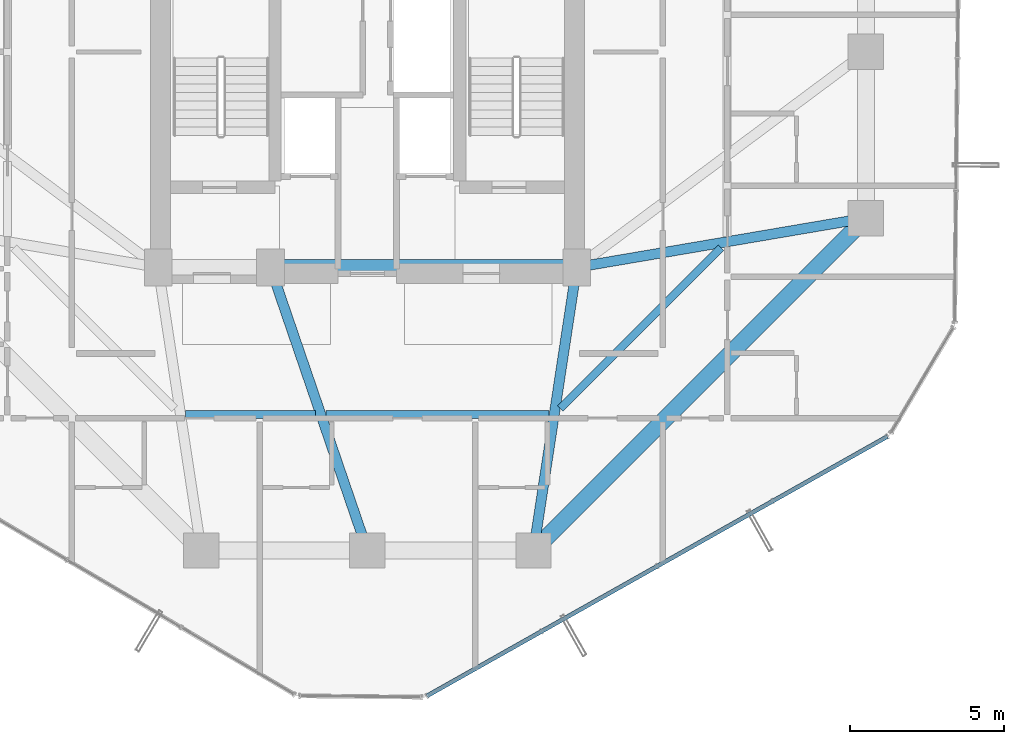
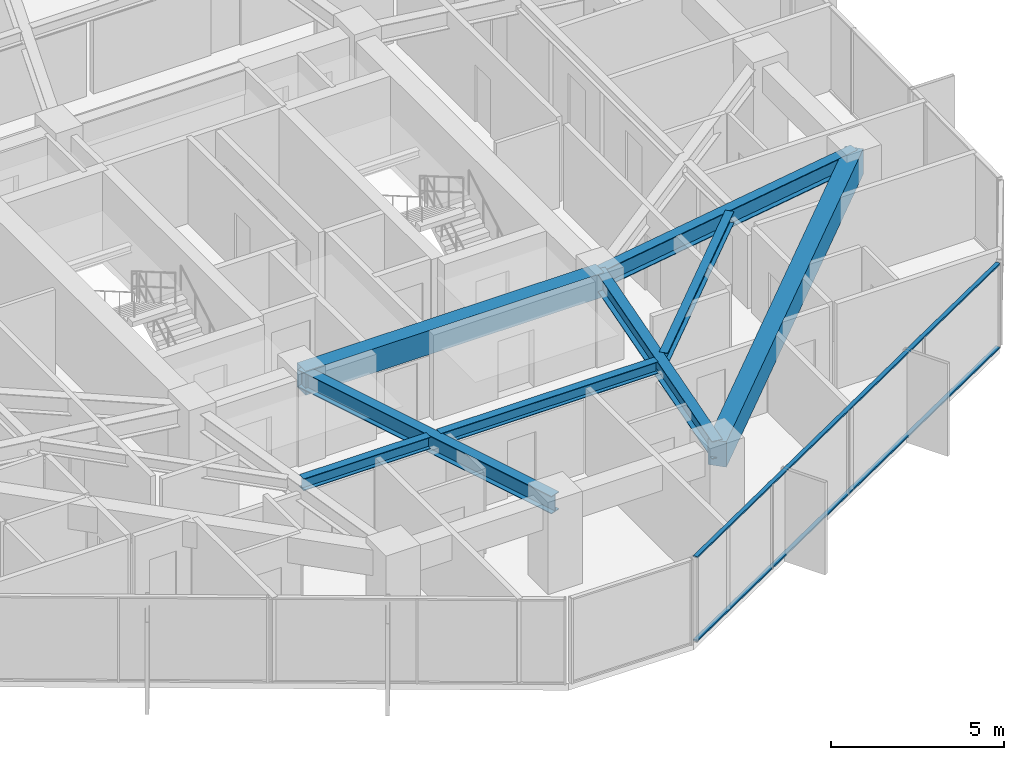
# One storey, part 8 of 30: 8 beams, 2 members, 1 element without a shape of its own.
"""IFC4 building model written with IfcOpenShell, lengths in metres."""

import ifcopenshell
import ifcopenshell.guid

model = None  # the IFC model being written
_history = None  # IfcOwnerHistory: only IFC2X3 demands one
_inside = {}  # id of a spatial element -> (the spatial element, [elements in it])
_under = {}  # id of a project, library or spatial element -> (it, [spatial elements below it])
_declared = {}  # id of a project -> (the project, [libraries it declares])
_typed = {}  # id of a type object -> (the type object, [elements of that type])
_made_of = {}  # id of a material, layer set ... -> (it, [elements and type objects made of it])


def new_model(schema):
    """Start an empty IFC model of exactly this schema.

    Asked for "IFC4X3", IfcOpenShell would pick the latest addendum, in which some entities
    have other attributes; the version numbers below select the first issue.
    IFC2X3 requires an IfcOwnerHistory on every rooted entity: one is made here for all.
    """
    global model, _history
    if schema == "IFC4X3":
        model = ifcopenshell.file(schema_version=(4, 3, 0, 0))
    else:
        model = ifcopenshell.file(schema=schema)
    _inside.clear()
    _under.clear()
    _declared.clear()
    _typed.clear()
    _made_of.clear()
    _history = None
    if model.schema == "IFC2X3":
        org = make("IfcOrganization", Name="unknown")
        user = make(
            "IfcPersonAndOrganization",
            ThePerson=make("IfcPerson", FamilyName="unknown"),
            TheOrganization=org,
        )
        app = make(
            "IfcApplication",
            ApplicationDeveloper=org,
            Version="unknown",
            ApplicationFullName="unknown",
            ApplicationIdentifier="unknown",
        )
        _history = make(
            "IfcOwnerHistory",
            OwningUser=user,
            OwningApplication=app,
            ChangeAction="ADDED",
            CreationDate=0,
        )
    return model


def make(cls, **values):
    """One entity of the class cls with the attributes given. An attribute that is None is left unset."""
    return model.create_entity(
        cls, **{name: value for name, value in values.items() if value is not None}
    )


def rooted(cls, **values):
    """An entity with a GlobalId (a new one), such as an element, a storey or a relation."""
    return make(cls, GlobalId=ifcopenshell.guid.new(), OwnerHistory=_history, **values)


def si_unit(unit_type, name, prefix=None):
    """IfcSIUnit, for example si_unit("LENGTHUNIT", "METRE", prefix="MILLI")."""
    return make("IfcSIUnit", UnitType=unit_type, Prefix=prefix, Name=name)


def assignment(units):
    """IfcUnitAssignment: the units of a project."""
    return None if units is None else make("IfcUnitAssignment", Units=units)


def point(xyz):
    """IfcCartesianPoint."""
    return None if xyz is None else make("IfcCartesianPoint", Coordinates=xyz)


def direction(xyz):
    """IfcDirection."""
    return None if xyz is None else make("IfcDirection", DirectionRatios=xyz)


def frame(location, z_axis=None, x_axis=None):
    """IfcAxis2Placement3D, a coordinate frame: its origin and axes. An axis left out is left unset."""
    return make(
        "IfcAxis2Placement3D",
        Location=point(location),
        Axis=direction(z_axis),
        RefDirection=direction(x_axis),
    )


def frame_2d(location, x_axis=None):
    """IfcAxis2Placement2D, a coordinate frame in the plane: its origin and x axis."""
    return make(
        "IfcAxis2Placement2D", Location=point(location), RefDirection=direction(x_axis)
    )


def origin():
    """The frame at (0, 0, 0) with its axes left unset."""
    return frame((0.0, 0.0, 0.0))


def origin_2d():
    """The frame at (0, 0) in the plane with its x axis left unset."""
    return frame_2d((0.0, 0.0))


def place(relative_to, where):
    """IfcLocalPlacement: puts the frame where relative to a parent placement (None: the world)."""
    return make(
        "IfcLocalPlacement", PlacementRelTo=relative_to, RelativePlacement=where
    )


def context(
    kind, dimensions, precision=None, world=None, true_north=None, identifier=None
):
    """IfcGeometricRepresentationContext, for example the 3D "Model" context."""
    return make(
        "IfcGeometricRepresentationContext",
        ContextIdentifier=identifier,
        ContextType=kind,
        CoordinateSpaceDimension=dimensions,
        Precision=precision,
        WorldCoordinateSystem=world,
        TrueNorth=true_north,
    )


def subcontext(parent, identifier, kind, view, scale=None):
    """IfcGeometricRepresentationSubContext, for example "Body" below "Model"."""
    return make(
        "IfcGeometricRepresentationSubContext",
        ContextIdentifier=identifier,
        ContextType=kind,
        ParentContext=parent,
        TargetScale=scale,
        TargetView=view,
    )


def project(units=None, contexts=None):
    """IfcProject with its units and contexts."""
    return rooted(
        "IfcProject",
        Name="project",
        RepresentationContexts=contexts,
        UnitsInContext=assignment(units),
    )


def spatial(cls, under=None, at=None, **own):
    """A site, building, storey or space (cls), placed at a placement, below another one or the project."""
    s = rooted(cls, ObjectPlacement=at, **own)
    if under is not None:
        _under.setdefault(under.id(), (under, []))[1].append(s)
    return s


def profile(cls, at=None, kind="AREA", **sizes):
    """A parametric profile (cls). Its sizes go by their IFC names, for example OverallWidth=200.0."""
    return make(cls, ProfileType=kind, Position=at, **sizes)


def rectangle(**sizes):
    """IfcRectangleProfileDef."""
    return profile("IfcRectangleProfileDef", **sizes)


def hollow_rectangle(**sizes):
    """IfcRectangleHollowProfileDef."""
    return profile("IfcRectangleHollowProfileDef", **sizes)


def i_section(**sizes):
    """IfcIShapeProfileDef."""
    return profile("IfcIShapeProfileDef", **sizes)


def extrude(swept, where, along, depth):
    """IfcExtrudedAreaSolid: the profile swept, set in the frame where, extruded along a direction by depth."""
    return make(
        "IfcExtrudedAreaSolid",
        SweptArea=swept,
        Position=where,
        ExtrudedDirection=direction(along),
        Depth=depth,
    )


def shape(context_of_items, identifier, shape_type, items):
    """IfcShapeRepresentation: the items that make up one representation, for example the "Body"."""
    return make(
        "IfcShapeRepresentation",
        ContextOfItems=context_of_items,
        RepresentationIdentifier=identifier,
        RepresentationType=shape_type,
        Items=items,
    )


def source(mapping_origin, context_of_items, identifier, shape_type, items):
    """IfcRepresentationMap: a shape defined once, which mapped items show again and again."""
    return make(
        "IfcRepresentationMap",
        MappingOrigin=mapping_origin,
        MappedRepresentation=shape(context_of_items, identifier, shape_type, items),
    )


def transform(
    local_origin,
    x_axis=None,
    y_axis=None,
    z_axis=None,
    scale=None,
    scale2=None,
    scale3=None,
    uniform=True,
):
    """IfcCartesianTransformationOperator3D, or its non-uniform kind. x_axis, y_axis, z_axis: its Axis1, 2, 3."""
    if uniform:
        return make(
            "IfcCartesianTransformationOperator3D",
            Axis1=direction(x_axis),
            Axis2=direction(y_axis),
            LocalOrigin=point(local_origin),
            Scale=scale,
            Axis3=direction(z_axis),
        )
    return make(
        "IfcCartesianTransformationOperator3DnonUniform",
        Axis1=direction(x_axis),
        Axis2=direction(y_axis),
        LocalOrigin=point(local_origin),
        Scale=scale,
        Axis3=direction(z_axis),
        Scale2=scale2,
        Scale3=scale3,
    )


def mapped(mapping_source, mapping_target):
    """IfcMappedItem: shows the shape of a source again, moved by a transform."""
    return make(
        "IfcMappedItem", MappingSource=mapping_source, MappingTarget=mapping_target
    )


def material(Name=None, Category=None):
    """IfcMaterial."""
    return make("IfcMaterial", Name=Name, Category=Category)


def layer(
    of_material, thickness, ventilated=None, Name=None, Category=None, Priority=None
):
    """IfcMaterialLayer: one layer of a wall or slab, of a material (None: an air gap)."""
    return make(
        "IfcMaterialLayer",
        Material=of_material,
        LayerThickness=thickness,
        IsVentilated=ventilated,
        Name=Name,
        Category=Category,
        Priority=Priority,
    )


def layer_set(layers, Name=None):
    """IfcMaterialLayerSet."""
    return make("IfcMaterialLayerSet", MaterialLayers=layers, LayerSetName=Name)


def material_profile(
    of_material, cross_section, Name=None, Category=None, Priority=None
):
    """IfcMaterialProfile: a cross section and its material."""
    return make(
        "IfcMaterialProfile",
        Name=Name,
        Material=of_material,
        Profile=cross_section,
        Priority=Priority,
        Category=Category,
    )


def profile_set(profiles, Name=None, composite=None):
    """IfcMaterialProfileSet."""
    return make(
        "IfcMaterialProfileSet",
        Name=Name,
        MaterialProfiles=profiles,
        CompositeProfile=composite,
    )


def made_of(thing, what):
    """Note that an element or type object is made of a material, layer set ...; save() writes the relation."""
    if what is not None:
        _made_of.setdefault(what.id(), (what, []))[1].append(thing)
    return thing


def type_object(cls, material=None, **own):
    """A type object (cls), such as IfcWallType, which elements share."""
    return made_of(rooted(cls, **own), material)


def element(
    cls,
    number,
    at=None,
    inside=None,
    cuts=None,
    type_object=None,
    material=None,
    context=None,
    identifier="Body",
    shape_type=None,
    held_by="IfcProductDefinitionShape",
    body=None,
    shapes=None,
    **own,
):
    """One element of the class cls, such as IfcWall. Its Tag is "e" and its number.

    at: its placement. inside: the storey or other place that contains it. cuts: it is an
    opening in that element (IfcRelVoidsElement). A single representation is given by context,
    identifier, shape_type and body (its items); several are given by shapes. held_by: the class
    of the entity that holds the representations. save() writes the other relations.
    """
    e = rooted(cls, Tag="e%d" % number, ObjectPlacement=at, **own)
    if body is not None:
        shapes = [shape(context, identifier, shape_type, body)]
    if shapes is not None:
        e.Representation = make(held_by, Representations=shapes)
    if inside is not None:
        _inside.setdefault(inside.id(), (inside, []))[1].append(e)
    if cuts is not None:
        rooted(
            "IfcRelVoidsElement", RelatingBuildingElement=cuts, RelatedOpeningElement=e
        )
    if type_object is not None:
        _typed.setdefault(type_object.id(), (type_object, []))[1].append(e)
    return made_of(e, material)


def aggregate(whole, parts):
    """IfcRelAggregates: a whole, such as a stair, and the parts it consists of."""
    return rooted("IfcRelAggregates", RelatingObject=whole, RelatedObjects=parts)


def save(model, path):
    """Write the relations noted so far, then the file.

    IfcRelAggregates (storeys below a building ...), IfcRelContainedInSpatialStructure (elements
    in a storey), IfcRelDefinesByType, IfcRelAssociatesMaterial and IfcRelDeclares: one each for
    every whole, place, type object, material and project.
    """
    for whole, parts in _under.values():
        aggregate(whole, parts)
    for where, things in _inside.values():
        rooted(
            "IfcRelContainedInSpatialStructure",
            RelatedElements=things,
            RelatingStructure=where,
        )
    for kind, things in _typed.values():
        rooted("IfcRelDefinesByType", RelatedObjects=things, RelatingType=kind)
    for what, things in _made_of.values():
        rooted("IfcRelAssociatesMaterial", RelatedObjects=things, RelatingMaterial=what)
    for by, libraries in _declared.values():
        rooted("IfcRelDeclares", RelatingContext=by, RelatedDefinitions=libraries)
    model.write(path)


model = new_model("IFC4")

# Units and contexts
model_context = context("Model", 3, precision=1e-05, world=origin(), true_north=direction((0.0, 1.0)))
body_context = subcontext(model_context, "Body", "Model", "MODEL_VIEW")
ifc_project = project(units=[si_unit("LENGTHUNIT", "METRE"), si_unit("AREAUNIT", "SQUARE_METRE"), si_unit("VOLUMEUNIT", "CUBIC_METRE"), si_unit("PLANEANGLEUNIT", "RADIAN"), si_unit("MASSUNIT", "GRAM", prefix="KILO")], contexts=[model_context])

# Site, building, storey
site_placement = place(None, origin())
site = spatial("IfcSite", under=ifc_project, at=site_placement, CompositionType="ELEMENT")
building_placement = place(site_placement, origin())
building = spatial("IfcBuilding", under=site, at=building_placement, Name="Veraguas Prism Commons", CompositionType="ELEMENT")
storey_placement = place(building_placement, frame((0.0, 0.0, 126.25)))
storey = spatial("IfcBuildingStorey", under=building, at=storey_placement, Name="L35", CompositionType="ELEMENT", Elevation=126.25)

# Beams
ifc_material_1 = material(Name="Concrete C50/60", Category="concrete")
ifc_material_profile_1 = material_profile(ifc_material_1, rectangle(XDim=0.5, YDim=0.85009765625, at=origin_2d()), Name="RC500X850")
ifc_profile_set_1 = profile_set([ifc_material_profile_1], Name="Concrete C50/60")
beam_type_1 = type_object("IfcBeamType", Name="Core Coupling Beam RC 500x850", PredefinedType="BEAM", material=ifc_profile_set_1)
beam_1_placement = place(storey_placement, frame((20.85009765625, 17.0, 2.574951171875), z_axis=(1.0, 0.0, 0.0), x_axis=(0.0, 1.0, 0.0)))
element("IfcBeam", 1, at=beam_1_placement, inside=storey, type_object=beam_type_1, Name="Core Coupling Beam L35-CRS2", PredefinedType="BEAM", context=body_context, shape_type="SweptSolid", body=[
    extrude(rectangle(XDim=0.5, YDim=0.85009765625, at=origin_2d()), origin(), (0.0, 0.0, 1.0), 9.949951171875),
])
ifc_material_2 = material(Name="Steel ASTM A992 Grade 50", Category="steel")
ifc_material_profile_2 = material_profile(ifc_material_2, i_section(OverallWidth=0.260986328125, OverallDepth=0.419921875, WebThickness=0.01171875, FlangeThickness=0.019287109375, at=origin_2d()), Name="W410X114")
ifc_profile_set_2 = profile_set([ifc_material_profile_2], Name="Steel ASTM A992 Grade 50")
beam_type_2 = type_object("IfcBeamType", Name="Lower Floor Joist W410x114", PredefinedType="JOIST", material=ifc_profile_set_2)
beam_2_placement = place(storey_placement, frame((18.091796875, 12.216064453125, 2.7900390625), z_axis=(1.0, 0.0, 0.0), x_axis=(0.0, 1.0, 0.0)))
element("IfcBeam", 2, at=beam_2_placement, inside=storey, type_object=beam_type_2, Name="Composite Floor Joist L35-JS10", PredefinedType="JOIST", context=body_context, shape_type="SweptSolid", body=[
    extrude(i_section(OverallWidth=0.260986328125, OverallDepth=0.419921875, WebThickness=0.01171875, FlangeThickness=0.019287109375, at=origin_2d()), origin(), (0.0, 0.0, 1.0), 4.22509765625),
])
beam_3_placement = place(storey_placement, frame((22.6591796875, 12.216064453125, 2.7900390625), z_axis=(1.0, 0.0, 0.0), x_axis=(0.0, 1.0, 0.0)))
element("IfcBeam", 3, at=beam_3_placement, inside=storey, type_object=beam_type_2, Name="Composite Floor Joist L35-JS11", PredefinedType="JOIST", context=body_context, shape_type="SweptSolid", body=[
    extrude(i_section(OverallWidth=0.260986328125, OverallDepth=0.419921875, WebThickness=0.01171875, FlangeThickness=0.019287109375, at=origin_2d()), origin(), (0.0, 0.0, 1.0), 7.2490234375),
])
beam_4_placement = place(storey_placement, frame((30.265380859375, 12.4091796875, 2.7900390625), z_axis=(0.707090260193, 0.707123301794, 0.0), x_axis=(-0.707123301794, 0.707090260193, 0.0)))
element("IfcBeam", 4, at=beam_4_placement, inside=storey, type_object=beam_type_2, Name="Composite Floor Joist L35-JS12", PredefinedType="JOIST", context=body_context, shape_type="SweptSolid", body=[
    extrude(i_section(OverallWidth=0.260986328125, OverallDepth=0.419921875, WebThickness=0.01171875, FlangeThickness=0.019287109375, at=origin_2d()), origin(), (0.0, 0.0, 1.0), 7.388916015625),
])
ifc_material_profile_3 = material_profile(ifc_material_1, rectangle(XDim=0.550048828125, YDim=0.89990234375, at=origin_2d()), Name="RC550X900")
ifc_profile_set_3 = profile_set([ifc_material_profile_3], Name="Concrete C50/60")
beam_type_3 = type_object("IfcBeamType", Name="Perimeter Spandrel Lower RC 550x900", PredefinedType="SPANDREL", material=ifc_profile_set_3)
beam_5_placement = place(storey_placement, frame((29.39990234375, 7.800048828125, 2.550048828125), z_axis=(0.707106781187, 0.707106781187, 0.0), x_axis=(-0.707106781187, 0.707106781187, 0.0)))
element("IfcBeam", 5, at=beam_5_placement, inside=storey, type_object=beam_type_3, Name="Perimeter Spandrel Beam L35-SP12", PredefinedType="SPANDREL", context=body_context, shape_type="SweptSolid", body=[
    extrude(rectangle(XDim=0.550048828125, YDim=0.89990234375, at=origin_2d()), origin(), (0.0, 0.0, 1.0), 15.273681640625),
])
ifc_material_profile_4 = material_profile(ifc_material_2, i_section(OverallWidth=0.327880859375, OverallDepth=0.6220703125, WebThickness=0.015380859375, FlangeThickness=0.0244140625, at=origin_2d()), Name="W610X195")
ifc_profile_set_4 = profile_set([ifc_material_profile_4], Name="Steel ASTM A992 Grade 50")
beam_type_4 = type_object("IfcBeamType", Name="Zone 2 Radial Girder W610x195", PredefinedType="BEAM", material=ifc_profile_set_4)
beam_6_placement = place(storey_placement, frame((40.199951171875, 18.60009765625, 2.68896484375), z_axis=(-0.985819187151, -0.1678109956, 0.0), x_axis=(0.1678109956, -0.985819187151, 0.0)))
element("IfcBeam", 6, at=beam_6_placement, inside=storey, type_object=beam_type_4, Name="Radial Floor Girder L35-RD01", PredefinedType="BEAM", context=body_context, shape_type="SweptSolid", body=[
    extrude(i_section(OverallWidth=0.327880859375, OverallDepth=0.6220703125, WebThickness=0.015380859375, FlangeThickness=0.0244140625, at=origin_2d()), origin(), (0.0, 0.0, 1.0), 9.53515625),
])
beam_7_placement = place(storey_placement, frame((24.0, 7.800048828125, 2.68896484375), z_axis=(-0.323922482989, 0.946083624747, 0.0), x_axis=(-0.946083624747, -0.323922482989, 0.0)))
element("IfcBeam", 7, at=beam_7_placement, inside=storey, type_object=beam_type_4, Name="Radial Floor Girder L35-RD11", PredefinedType="BEAM", context=body_context, shape_type="SweptSolid", body=[
    extrude(i_section(OverallWidth=0.327880859375, OverallDepth=0.6220703125, WebThickness=0.015380859375, FlangeThickness=0.0244140625, at=origin_2d()), origin(), (0.0, 0.0, 1.0), 9.724365234375),
])
beam_8_placement = place(storey_placement, frame((29.39990234375, 7.800048828125, 2.68896484375), z_axis=(0.150458162136, 0.98861637729, 0.0), x_axis=(-0.98861637729, 0.150458162136, 0.0)))
element("IfcBeam", 8, at=beam_8_placement, inside=storey, type_object=beam_type_4, Name="Radial Floor Girder L35-RD12", PredefinedType="BEAM", context=body_context, shape_type="SweptSolid", body=[
    extrude(i_section(OverallWidth=0.327880859375, OverallDepth=0.6220703125, WebThickness=0.015380859375, FlangeThickness=0.0244140625, at=origin_2d()), origin(), (0.0, 0.0, 1.0), 9.305908203125),
])

# Curtain wall, members
ifc_material_3 = material(Name="Anodised aluminium EN AW-6063 T6", Category="aluminium")
ifc_layer = layer(ifc_material_3, 0.169921875, Name="Unitised Flush Curtain Wall Zone 2", Category="aluminium")
ifc_layer_set = layer_set([ifc_layer], Name="Anodised aluminium EN AW-6063 T6")
curtain_wall_type = type_object("IfcCurtainWallType", Name="Unitised Flush Curtain Wall Zone 2", PredefinedType="NOTDEFINED", material=ifc_layer_set)
curtain_wall_placement = place(storey_placement, origin())
curtain_wall = element("IfcCurtainWall", 9, at=curtain_wall_placement, inside=storey, type_object=curtain_wall_type, Name="Tower Facade Curtain Wall L35-F5", PredefinedType="NOTDEFINED")
ifc_material_profile_5 = material_profile(ifc_material_3, hollow_rectangle(XDim=0.054931640625, YDim=0.135009765625, WallThickness=0.0029296875, at=origin_2d()), Name="AL55X135X3")
ifc_profile_set_5 = profile_set([ifc_material_profile_5], Name="Anodised aluminium EN AW-6063 T6")
member_type = type_object("IfcMemberType", Name="Curtain Wall Transom Standard AL 55x135x3", PredefinedType="USERDEFINED", material=ifc_profile_set_5)
shared_shape = source(origin(), body_context, "Body", "SweptSolid", [
    extrude(hollow_rectangle(XDim=0.054931640625, YDim=0.135009765625, WallThickness=0.0029296875, at=origin_2d()), origin(), (0.0, 0.0, 1.0), 17.17431640625),
])
member_1_placement = place(storey_placement, frame((25.935546875, 3.072509765625, 0.027587890625), z_axis=(0.871213119587, 0.490904980888, 0.0), x_axis=(0.0, 0.0, 1.0)))
member_1 = element("IfcMember", 10, at=member_1_placement, type_object=member_type, Name="CW-Z2 Transom 1", ObjectType="TRANSOM", PredefinedType="USERDEFINED", context=body_context, shape_type="MappedRepresentation", body=[
    mapped(shared_shape, transform((0.0, 0.0, 0.0), scale=1.0)),
])
member_2_placement = place(storey_placement, frame((25.935546875, 3.072509765625, 2.972412109375), z_axis=(0.871213119587, 0.490904980888, 0.0), x_axis=(0.0, 0.0, 1.0)))
member_2 = element("IfcMember", 11, at=member_2_placement, type_object=member_type, Name="CW-Z2 Transom 2", ObjectType="TRANSOM", PredefinedType="USERDEFINED", context=body_context, shape_type="MappedRepresentation", body=[
    mapped(shared_shape, transform((0.0, 0.0, 0.0), scale=1.0)),
])
aggregate(curtain_wall, [member_1, member_2])

save(model, "model.ifc")
